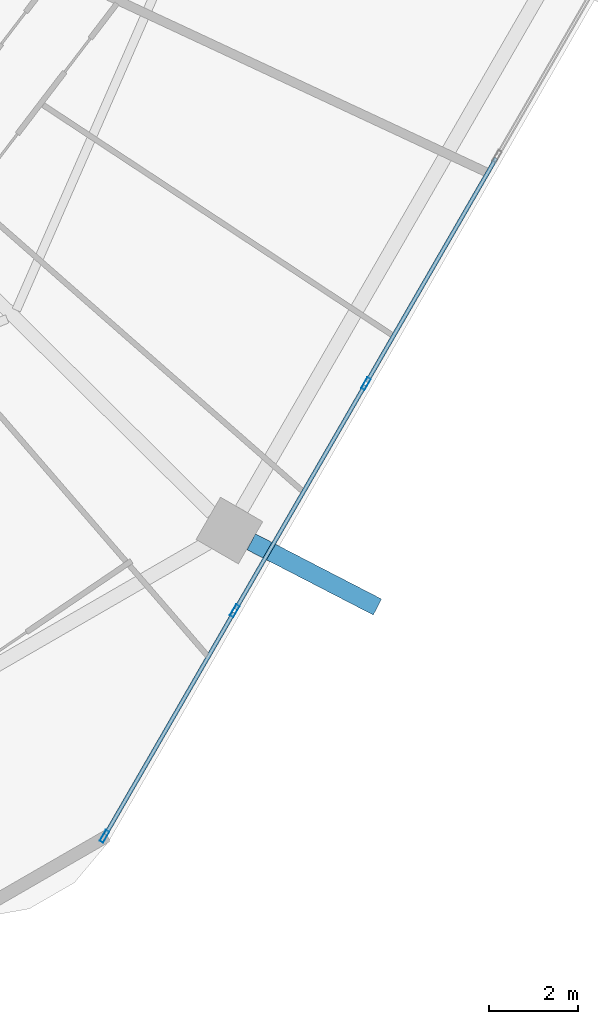
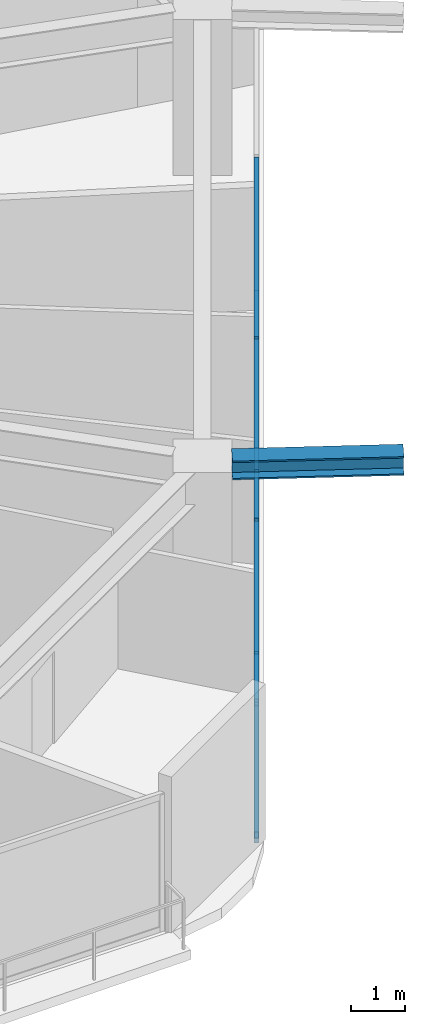
# One storey, part 9 of 33: 9 members, 1 beam, 1 element without a shape of its own.
"""IFC4 building model written with IfcOpenShell, lengths in metres."""

from ifc_helpers import new_model, si_unit, direction, frame, origin, origin_2d, place, context, subcontext, project, spatial, hollow_rectangle, i_section, extrude, material, material_profile, profile_set, type_object, element, aggregate, save


model = new_model("IFC4")

# Units and contexts
model_context = context("Model", 3, precision=1e-05, world=origin(), true_north=direction((0.0, 1.0)))
body_context = subcontext(model_context, "Body", "Model", "MODEL_VIEW")
ifc_project = project(units=[si_unit("LENGTHUNIT", "METRE"), si_unit("AREAUNIT", "SQUARE_METRE"), si_unit("VOLUMEUNIT", "CUBIC_METRE"), si_unit("PLANEANGLEUNIT", "RADIAN"), si_unit("MASSUNIT", "GRAM", prefix="KILO")], contexts=[model_context])

# Site, building, storey
site_placement = place(None, origin())
site = spatial("IfcSite", under=ifc_project, at=site_placement, CompositionType="ELEMENT")
building_placement = place(site_placement, origin())
building = spatial("IfcBuilding", under=site, at=building_placement, Name="Zuhravey Tower", CompositionType="ELEMENT")
storey_placement = place(building_placement, frame((0.0, 0.0, 126.60009765625)))
storey = spatial("IfcBuildingStorey", under=building, at=storey_placement, Name="L31", CompositionType="ELEMENT", Elevation=126.60009765625)

# Curtain wall, members
ifc_material_1 = material(Name="Thermally broken anodised aluminium", Category="aluminium")
curtain_wall_type = type_object("IfcCurtainWallType", Name="Zone 1-2 Residential Curtain Wall CW3", PredefinedType="NOTDEFINED", material=ifc_material_1)
curtain_wall_placement = place(storey_placement, origin())
curtain_wall = element("IfcCurtainWall", 1, at=curtain_wall_placement, inside=storey, type_object=curtain_wall_type, Name="L31 CW3 CW-L31-F6-1", PredefinedType="NOTDEFINED")
ifc_material_2 = material(Name="Anodised aluminium", Category="aluminium")
ifc_material_profile_1 = material_profile(ifc_material_2, hollow_rectangle(XDim=0.090087890625, YDim=0.284912109375, WallThickness=0.0048828125, at=origin_2d()), Name="ALU-RHS-90x285x5")
ifc_profile_set_1 = profile_set([ifc_material_profile_1], Name="Anodised aluminium")
member_type_1 = type_object("IfcMemberType", Name="Curtain-Wall Mullion 90x180", PredefinedType="MULLION", material=ifc_profile_set_1)
member_1_placement = place(storey_placement, frame((59.598876953125, 14.95751953125, 0.0), z_axis=(0.0, 0.0, 1.0), x_axis=(0.86602552265, -0.499999794119, 0.0)))
member_1 = element("IfcMember", 2, at=member_1_placement, type_object=member_type_1, Name="CW3 mullion 4", PredefinedType="MULLION", context=body_context, shape_type="SweptSolid", body=[
    extrude(hollow_rectangle(XDim=0.090087890625, YDim=0.284912109375, WallThickness=0.0048828125, at=origin_2d()), origin(), (0.0, 0.0, 1.0), 3.121826171875),
])
member_2_placement = place(storey_placement, frame((56.638916015625, 9.830810546875, 0.0), z_axis=(0.0, 0.0, 1.0), x_axis=(0.86602552265, -0.499999794119, 0.0)))
member_2 = element("IfcMember", 3, at=member_2_placement, type_object=member_type_1, Name="CW3 mullion 5", PredefinedType="MULLION", context=body_context, shape_type="SweptSolid", body=[
    extrude(hollow_rectangle(XDim=0.090087890625, YDim=0.284912109375, WallThickness=0.0048828125, at=origin_2d()), origin(), (0.0, 0.0, 1.0), 3.121826171875),
])
member_3_placement = place(storey_placement, frame((53.701416015625, 4.742919921875, 0.0), z_axis=(0.0, 0.0, 1.0), x_axis=(0.86602552265, -0.499999794119, 0.0)))
member_3 = element("IfcMember", 4, at=member_3_placement, type_object=member_type_1, Name="CW3 mullion 6", PredefinedType="MULLION", context=body_context, shape_type="SweptSolid", body=[
    extrude(hollow_rectangle(XDim=0.090087890625, YDim=0.284912109375, WallThickness=0.0048828125, at=origin_2d()), origin(), (0.0, 0.0, 1.0), 3.121826171875),
])
ifc_material_profile_2 = material_profile(ifc_material_2, hollow_rectangle(XDim=0.090087890625, YDim=0.14990234375, WallThickness=0.0048828125, at=origin_2d()), Name="ALU-RHS-90x150x5")
ifc_profile_set_2 = profile_set([ifc_material_profile_2], Name="Anodised aluminium")
member_type_2 = type_object("IfcMemberType", Name="Curtain-Wall Transom 90x150", PredefinedType="USERDEFINED", material=ifc_profile_set_2)
member_4_placement = place(storey_placement, frame((62.5361328125, 20.045166015625, 0.044921875), z_axis=(-0.499981042766, -0.866036348472, 0.0), x_axis=(0.866036348472, -0.499981042766, 0.0)))
member_4 = element("IfcMember", 5, at=member_4_placement, type_object=member_type_2, Name="CW3 transom 3.1", ObjectType="TRANSOM", PredefinedType="USERDEFINED", context=body_context, shape_type="SweptSolid", body=[
    extrude(hollow_rectangle(XDim=0.090087890625, YDim=0.14990234375, WallThickness=0.0048828125, at=origin_2d()), origin(), (0.0, 0.0, 1.0), 5.829833984375),
])
member_5_placement = place(storey_placement, frame((62.5361328125, 20.045166015625, 3.076904296875), z_axis=(-0.499981042766, -0.866036348472, 0.0), x_axis=(0.866036348472, -0.499981042766, 0.0)))
member_5 = element("IfcMember", 6, at=member_5_placement, type_object=member_type_2, Name="CW3 transom 3.2", ObjectType="TRANSOM", PredefinedType="USERDEFINED", context=body_context, shape_type="SweptSolid", body=[
    extrude(hollow_rectangle(XDim=0.090087890625, YDim=0.14990234375, WallThickness=0.0048828125, at=origin_2d()), origin(), (0.0, 0.0, 1.0), 5.829833984375),
])
member_6_placement = place(storey_placement, frame((59.576416015625, 14.91845703125, 0.044921875), z_axis=(-0.500012451049, -0.866018215049, 0.0), x_axis=(0.866018215049, -0.500012451049, 0.0)))
member_6 = element("IfcMember", 7, at=member_6_placement, type_object=member_type_2, Name="CW3 transom 4.1", ObjectType="TRANSOM", PredefinedType="USERDEFINED", context=body_context, shape_type="SweptSolid", body=[
    extrude(hollow_rectangle(XDim=0.090087890625, YDim=0.14990234375, WallThickness=0.0048828125, at=origin_2d()), origin(), (0.0, 0.0, 1.0), 5.829833984375),
])
member_7_placement = place(storey_placement, frame((59.576416015625, 14.91845703125, 3.076904296875), z_axis=(-0.500012451049, -0.866018215049, 0.0), x_axis=(0.866018215049, -0.500012451049, 0.0)))
member_7 = element("IfcMember", 8, at=member_7_placement, type_object=member_type_2, Name="CW3 transom 4.2", ObjectType="TRANSOM", PredefinedType="USERDEFINED", context=body_context, shape_type="SweptSolid", body=[
    extrude(hollow_rectangle(XDim=0.090087890625, YDim=0.14990234375, WallThickness=0.0048828125, at=origin_2d()), origin(), (0.0, 0.0, 1.0), 5.829833984375),
])
member_8_placement = place(storey_placement, frame((56.616455078125, 9.791748046875, 0.044921875), z_axis=(-0.499992798144, -0.866029561738, 0.0), x_axis=(0.866029561738, -0.499992798144, 0.0)))
member_8 = element("IfcMember", 9, at=member_8_placement, type_object=member_type_2, Name="CW3 transom 5.1", ObjectType="TRANSOM", PredefinedType="USERDEFINED", context=body_context, shape_type="SweptSolid", body=[
    extrude(hollow_rectangle(XDim=0.090087890625, YDim=0.14990234375, WallThickness=0.0048828125, at=origin_2d()), origin(), (0.0, 0.0, 1.0), 5.78466796875),
])
member_9_placement = place(storey_placement, frame((56.616455078125, 9.791748046875, 3.076904296875), z_axis=(-0.499992798144, -0.866029561738, 0.0), x_axis=(0.866029561738, -0.499992798144, 0.0)))
member_9 = element("IfcMember", 10, at=member_9_placement, type_object=member_type_2, Name="CW3 transom 5.2", ObjectType="TRANSOM", PredefinedType="USERDEFINED", context=body_context, shape_type="SweptSolid", body=[
    extrude(hollow_rectangle(XDim=0.090087890625, YDim=0.14990234375, WallThickness=0.0048828125, at=origin_2d()), origin(), (0.0, 0.0, 1.0), 5.78466796875),
])
aggregate(curtain_wall, [member_1, member_2, member_3, member_4, member_5, member_6, member_7, member_8, member_9])

# Beam
ifc_material_3 = material(Name="Steel SM460", Category="steel")
ifc_material_profile_3 = material_profile(ifc_material_3, i_section(OverallWidth=0.406982421875, OverallDepth=0.427978515625, WebThickness=0.02001953125, FlangeThickness=0.034912109375, at=origin_2d()), Name="H-428x407x20x35")
ifc_profile_set_3 = profile_set([ifc_material_profile_3], Name="Steel SM460")
beam_type = type_object("IfcBeamType", Name="Exoskeleton Node Tie Beam H428x407", PredefinedType="BEAM", material=ifc_profile_set_3)
beam_placement = place(storey_placement, frame((57.01171875, 11.388427734375, 3.3359375), z_axis=(0.888437298009, -0.458998003816, 0.0), x_axis=(0.458998003816, 0.888437298009, 0.0)))
element("IfcBeam", 11, at=beam_placement, inside=storey, type_object=beam_type, Name="L31 Exoskeleton Node Tie NT1-11", PredefinedType="BEAM", context=body_context, shape_type="SweptSolid", body=[
    extrude(i_section(OverallWidth=0.406982421875, OverallDepth=0.427978515625, WebThickness=0.02001953125, FlangeThickness=0.034912109375, at=origin_2d()), origin(), (0.0, 0.0, 1.0), 3.20458984375),
])

save(model, "model.ifc")
